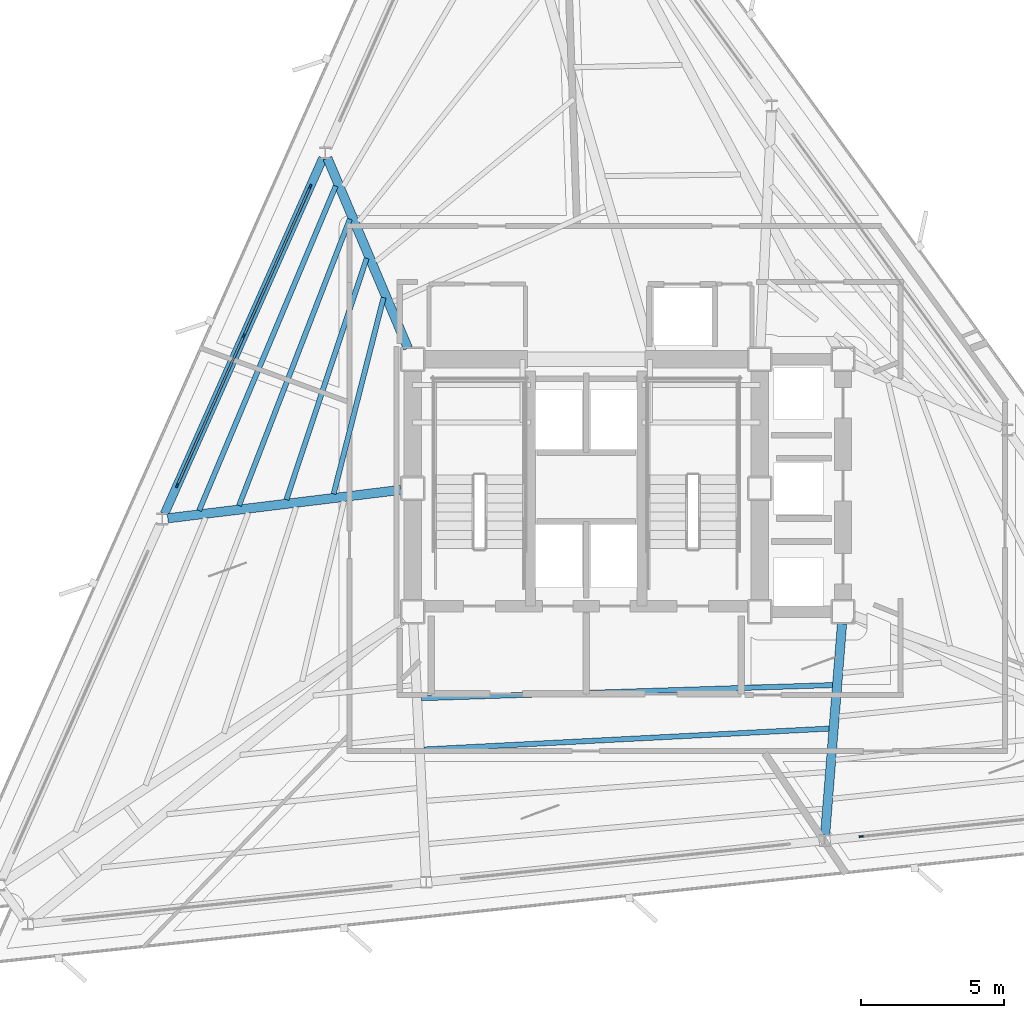
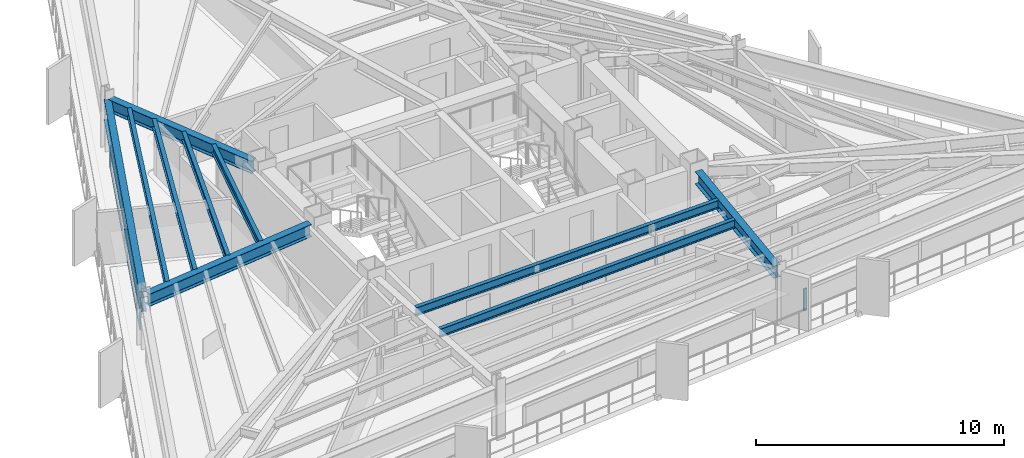
# One storey, part 3 of 13: 10 beams, 8 members, 2 elements without a shape of their own.
"""IFC4 building model written with IfcOpenShell, lengths in metres."""

from ifc_helpers import new_model, si_unit, direction, frame, origin, origin_2d, place, context, subcontext, project, spatial, rectangle, i_section, extrude, material, layer, layer_set, material_profile, profile_set, type_object, element, aggregate, save


model = new_model("IFC4")

# Units and contexts
model_context = context("Model", 3, precision=1e-05, world=origin(), true_north=direction((0.0, 1.0)))
body_context = subcontext(model_context, "Body", "Model", "MODEL_VIEW")
ifc_project = project(units=[si_unit("LENGTHUNIT", "METRE"), si_unit("AREAUNIT", "SQUARE_METRE"), si_unit("VOLUMEUNIT", "CUBIC_METRE"), si_unit("PLANEANGLEUNIT", "RADIAN"), si_unit("MASSUNIT", "GRAM", prefix="KILO")], contexts=[model_context])

# Site, building, storey
site_placement = place(None, origin())
site = spatial("IfcSite", under=ifc_project, at=site_placement, CompositionType="ELEMENT")
building_placement = place(site_placement, origin())
building = spatial("IfcBuilding", under=site, at=building_placement, Name="Rocaltana Carrier Exchange", CompositionType="ELEMENT")
storey_placement = place(building_placement, frame((0.0, 0.0, 122.8798828125)))
storey = spatial("IfcBuildingStorey", under=building, at=storey_placement, Name="L38", CompositionType="ELEMENT", Elevation=122.8798828125)

# Curtain wall, members
ifc_material_1 = material(Name="Aluminium 6063-T6", Category="aluminium")
ifc_layer = layer(ifc_material_1, 0.14990234375)
ifc_layer_set = layer_set([ifc_layer], Name="Aluminium 6063-T6")
curtain_wall_type = type_object("IfcCurtainWallType", Name="Mid-Tower Unitised Curtain Wall CW-03", PredefinedType="NOTDEFINED", material=ifc_layer_set)
curtain_wall_1_placement = place(storey_placement, origin())
curtain_wall_1 = element("IfcCurtainWall", 1, at=curtain_wall_1_placement, inside=storey, type_object=curtain_wall_type, Name="L38 CW-03 Run CW-L38-F2S2", PredefinedType="NOTDEFINED")
ifc_material_2 = material(Name="Aluminium 6063-T6", Category="aluminium")
ifc_material_profile_1 = material_profile(ifc_material_2, rectangle(XDim=0.06005859375, YDim=0.14990234375, at=origin_2d()), Name="AL-60X150")
ifc_profile_set_1 = profile_set([ifc_material_profile_1], Name="Aluminium 6063-T6")
member_type_1 = type_object("IfcMemberType", Name="CW-03 Mullion AL-60X150", PredefinedType="MULLION", material=ifc_profile_set_1)
member_1_placement = place(storey_placement, frame((-9.61865234375, 10.525634765625, 0.0), z_axis=(0.0, 0.0, 1.0), x_axis=(0.913542348315, -0.406743626669, 0.0)))
member_1 = element("IfcMember", 2, at=member_1_placement, type_object=member_type_1, Name="CW-03 mullion 1", PredefinedType="MULLION", context=body_context, shape_type="SweptSolid", body=[
    extrude(rectangle(XDim=0.06005859375, YDim=0.14990234375, at=origin_2d()), origin(), (0.0, 0.0, 1.0), 1.078125),
])
member_2_placement = place(storey_placement, frame((-11.9384765625, 5.3154296875, 0.0), z_axis=(0.0, 0.0, 1.0), x_axis=(0.913542348315, -0.406743626669, 0.0)))
member_2 = element("IfcMember", 3, at=member_2_placement, type_object=member_type_1, Name="CW-03 mullion 2", PredefinedType="MULLION", context=body_context, shape_type="SweptSolid", body=[
    extrude(rectangle(XDim=0.06005859375, YDim=0.14990234375, at=origin_2d()), origin(), (0.0, 0.0, 1.0), 1.078125),
])
member_3_placement = place(storey_placement, frame((-14.25830078125, 0.105224609375, 0.0), z_axis=(0.0, 0.0, 1.0), x_axis=(0.913542348315, -0.406743626669, 0.0)))
member_3 = element("IfcMember", 4, at=member_3_placement, type_object=member_type_1, Name="CW-03 mullion 3", PredefinedType="MULLION", context=body_context, shape_type="SweptSolid", body=[
    extrude(rectangle(XDim=0.06005859375, YDim=0.14990234375, at=origin_2d()), origin(), (0.0, 0.0, 1.0), 1.078125),
])

# Curtain wall, member
curtain_wall_2_placement = place(storey_placement, origin())
curtain_wall_2 = element("IfcCurtainWall", 5, at=curtain_wall_2_placement, inside=storey, type_object=curtain_wall_type, Name="L38 CW-03 Run CW-L38-F3S3", PredefinedType="NOTDEFINED")
member_4_placement = place(storey_placement, frame((9.584228515625, -12.1328125, 0.0), z_axis=(0.0, 0.0, 1.0), x_axis=(-0.104521806959, 0.994522594952, 0.0)))
member_4 = element("IfcMember", 6, at=member_4_placement, type_object=member_type_1, Name="CW-03 mullion 1", PredefinedType="MULLION", context=body_context, shape_type="SweptSolid", body=[
    extrude(rectangle(XDim=0.06005859375, YDim=0.14990234375, at=origin_2d()), origin(), (0.0, 0.0, 1.0), 1.078125),
])
aggregate(curtain_wall_2, [member_4])

# Member
ifc_material_3 = material(Name="Aluminium 6063-T6", Category="aluminium")
ifc_material_profile_2 = material_profile(ifc_material_3, rectangle(XDim=0.06005859375, YDim=0.14990234375, at=origin_2d()), Name="AL-60X150")
ifc_profile_set_2 = profile_set([ifc_material_profile_2], Name="Aluminium 6063-T6")
member_type_2 = type_object("IfcMemberType", Name="CW-03 Transom AL-60X150", PredefinedType="USERDEFINED", material=ifc_profile_set_2)
member_5_placement = place(storey_placement, frame((-9.630859375, 10.498291015625, 0.030029296875), z_axis=(-0.406740464784, -0.913543756099, 0.0), x_axis=(0.913543756099, -0.406740464784, 0.0)))
member_5 = element("IfcMember", 7, at=member_5_placement, type_object=member_type_2, Name="CW-03 transom 1.1", ObjectType="TRANSOM", PredefinedType="USERDEFINED", context=body_context, shape_type="SweptSolid", body=[
    extrude(rectangle(XDim=0.06005859375, YDim=0.14990234375, at=origin_2d()), origin(), (0.0, 0.0, 1.0), 5.643310546875),
])

member_6_placement = place(storey_placement, frame((-9.630859375, 10.498291015625, 1.048095703125), z_axis=(-0.406740464784, -0.913543756099, 0.0), x_axis=(0.913543756099, -0.406740464784, 0.0)))
member_6 = element("IfcMember", 8, at=member_6_placement, type_object=member_type_2, Name="CW-03 transom 1.2", ObjectType="TRANSOM", PredefinedType="USERDEFINED", context=body_context, shape_type="SweptSolid", body=[
    extrude(rectangle(XDim=0.06005859375, YDim=0.14990234375, at=origin_2d()), origin(), (0.0, 0.0, 1.0), 5.643310546875),
])

member_7_placement = place(storey_placement, frame((-11.95068359375, 5.287841796875, 0.030029296875), z_axis=(-0.406756540093, -0.91353659866, 0.0), x_axis=(0.91353659866, -0.406756540093, 0.0)))
member_7 = element("IfcMember", 9, at=member_7_placement, type_object=member_type_2, Name="CW-03 transom 2.1", ObjectType="TRANSOM", PredefinedType="USERDEFINED", context=body_context, shape_type="SweptSolid", body=[
    extrude(rectangle(XDim=0.06005859375, YDim=0.14990234375, at=origin_2d()), origin(), (0.0, 0.0, 1.0), 5.643310546875),
])

member_8_placement = place(storey_placement, frame((-11.95068359375, 5.287841796875, 1.048095703125), z_axis=(-0.406756540093, -0.91353659866, 0.0), x_axis=(0.91353659866, -0.406756540093, 0.0)))
member_8 = element("IfcMember", 10, at=member_8_placement, type_object=member_type_2, Name="CW-03 transom 2.2", ObjectType="TRANSOM", PredefinedType="USERDEFINED", context=body_context, shape_type="SweptSolid", body=[
    extrude(rectangle(XDim=0.06005859375, YDim=0.14990234375, at=origin_2d()), origin(), (0.0, 0.0, 1.0), 5.643310546875),
])

aggregate(curtain_wall_1, [member_1, member_2, member_3, member_5, member_6, member_7, member_8])

# Beams
ifc_material_4 = material(Name="Steel S355", Category="steel")
ifc_material_profile_3 = material_profile(ifc_material_4, i_section(OverallWidth=0.179931640625, OverallDepth=0.4130859375, WebThickness=0.009765625, FlangeThickness=0.01611328125, FilletRadius=0.012939453125, at=origin_2d()), Name="W16X50")
ifc_profile_set_3 = profile_set([ifc_material_profile_3], Name="Steel S355")
beam_type_1 = type_object("IfcBeamType", Name="Floor Joist W16X50", PredefinedType="JOIST", material=ifc_profile_set_3)
beam_1_placement = place(storey_placement, frame((-7.06396484375, 6.651123046875, 2.41162109375), z_axis=(-0.246610770256, -0.96911461035, 0.0), x_axis=(0.96911461035, -0.246610770256, 0.0)))
element("IfcBeam", 11, at=beam_1_placement, inside=storey, type_object=beam_type_1, Name="FJ-L38-06-1", PredefinedType="JOIST", context=body_context, shape_type="SweptSolid", body=[
    extrude(i_section(OverallWidth=0.179931640625, OverallDepth=0.4130859375, WebThickness=0.009765625, FlangeThickness=0.01611328125, FilletRadius=0.012939453125, at=origin_2d()), origin(), (0.0, 0.0, 1.0), 7.05859375),
])
beam_2_placement = place(storey_placement, frame((-7.65380859375, 8.021484375, 2.41162109375), z_axis=(-0.315534018632, -0.948914265403, 0.0), x_axis=(0.948914265403, -0.315534018632, 0.0)))
element("IfcBeam", 12, at=beam_2_placement, inside=storey, type_object=beam_type_1, Name="FJ-L38-06-2", PredefinedType="JOIST", context=body_context, shape_type="SweptSolid", body=[
    extrude(i_section(OverallWidth=0.179931640625, OverallDepth=0.4130859375, WebThickness=0.009765625, FlangeThickness=0.01611328125, FilletRadius=0.012939453125, at=origin_2d()), origin(), (0.0, 0.0, 1.0), 8.869384765625),
])
beam_3_placement = place(storey_placement, frame((-8.239990234375, 9.390869140625, 2.41162109375), z_axis=(-0.360736399808, -0.93266781324, 0.0), x_axis=(0.93266781324, -0.360736399808, 0.0)))
element("IfcBeam", 13, at=beam_3_placement, inside=storey, type_object=beam_type_1, Name="FJ-L38-06-3", PredefinedType="JOIST", context=body_context, shape_type="SweptSolid", body=[
    extrude(i_section(OverallWidth=0.179931640625, OverallDepth=0.4130859375, WebThickness=0.009765625, FlangeThickness=0.01611328125, FilletRadius=0.012939453125, at=origin_2d()), origin(), (0.0, 0.0, 1.0), 10.71142578125),
])
beam_4_placement = place(storey_placement, frame((-8.73193359375, 10.543701171875, 2.41162109375), z_axis=(-0.388065001022, -0.92163200627, 0.0), x_axis=(0.92163200627, -0.388065001022, 0.0)))
element("IfcBeam", 14, at=beam_4_placement, inside=storey, type_object=beam_type_1, Name="FJ-L38-06-4", PredefinedType="JOIST", context=body_context, shape_type="SweptSolid", body=[
    extrude(i_section(OverallWidth=0.179931640625, OverallDepth=0.4130859375, WebThickness=0.009765625, FlangeThickness=0.01611328125, FilletRadius=0.012939453125, at=origin_2d()), origin(), (0.0, 0.0, 1.0), 12.27734375),
])
beam_5_placement = place(storey_placement, frame((-5.743408203125, -7.3115234375, 2.41162109375), z_axis=(0.999491466451, 0.031887434705, 0.0), x_axis=(-0.031887434705, 0.999491466451, 0.0)))
element("IfcBeam", 15, at=beam_5_placement, inside=storey, type_object=beam_type_1, Name="FJ-L38-10-1", PredefinedType="JOIST", context=body_context, shape_type="SweptSolid", body=[
    extrude(i_section(OverallWidth=0.179931640625, OverallDepth=0.4130859375, WebThickness=0.009765625, FlangeThickness=0.01611328125, FilletRadius=0.012939453125, at=origin_2d()), origin(), (0.0, 0.0, 1.0), 14.34033203125),
])
beam_6_placement = place(storey_placement, frame((-5.654052734375, -9.099609375, 2.41162109375), z_axis=(0.998672130868, 0.051516745125, 0.0), x_axis=(-0.051516745125, 0.998672130868, 0.0)))
element("IfcBeam", 16, at=beam_6_placement, inside=storey, type_object=beam_type_1, Name="FJ-L38-10-2", PredefinedType="JOIST", context=body_context, shape_type="SweptSolid", body=[
    extrude(i_section(OverallWidth=0.179931640625, OverallDepth=0.4130859375, WebThickness=0.009765625, FlangeThickness=0.01611328125, FilletRadius=0.012939453125, at=origin_2d()), origin(), (0.0, 0.0, 1.0), 14.141357421875),
])
ifc_material_5 = material(Name="Steel S355", Category="steel")
ifc_material_profile_4 = material_profile(ifc_material_5, i_section(OverallWidth=0.323974609375, OverallDepth=0.611083984375, WebThickness=0.0126953125, FlangeThickness=0.01904296875, FilletRadius=0.01611328125, at=origin_2d()), Name="W24X104")
ifc_profile_set_4 = profile_set([ifc_material_profile_4], Name="Steel S355")
beam_type_2 = type_object("IfcBeamType", Name="Radial Girder W24X104", PredefinedType="BEAM", material=ifc_profile_set_4)
beam_7_placement = place(storey_placement, frame((-6.212646484375, 4.884033203125, 2.3125), z_axis=(-0.390082299066, 0.920779995414, 0.0), x_axis=(-0.920779995414, -0.390082299066, 0.0)))
element("IfcBeam", 17, at=beam_7_placement, inside=storey, type_object=beam_type_2, Name="RG-L38-06", PredefinedType="BEAM", context=body_context, shape_type="SweptSolid", body=[
    extrude(i_section(OverallWidth=0.323974609375, OverallDepth=0.611083984375, WebThickness=0.0126953125, FlangeThickness=0.01904296875, FilletRadius=0.01611328125, at=origin_2d()), origin(), (0.0, 0.0, 1.0), 7.201904296875),
])
beam_8_placement = place(storey_placement, frame((-6.4638671875, -0.050537109375, 2.3125), z_axis=(-0.992651998354, -0.121004174157, 0.0), x_axis=(0.121004174157, -0.992651998354, 0.0)))
element("IfcBeam", 18, at=beam_8_placement, inside=storey, type_object=beam_type_2, Name="RG-L38-07", PredefinedType="BEAM", context=body_context, shape_type="SweptSolid", body=[
    extrude(i_section(OverallWidth=0.323974609375, OverallDepth=0.611083984375, WebThickness=0.0126953125, FlangeThickness=0.01904296875, FilletRadius=0.01611328125, at=origin_2d()), origin(), (0.0, 0.0, 1.0), 8.181396484375),
])
beam_9_placement = place(storey_placement, frame((8.916748046875, -4.7158203125, 2.3125), z_axis=(-0.079956907675, -0.996798321084, 0.0), x_axis=(0.996798321084, -0.079956907675, 0.0)))
element("IfcBeam", 19, at=beam_9_placement, inside=storey, type_object=beam_type_2, Name="RG-L38-11", PredefinedType="BEAM", context=body_context, shape_type="SweptSolid", body=[
    extrude(i_section(OverallWidth=0.323974609375, OverallDepth=0.611083984375, WebThickness=0.0126953125, FlangeThickness=0.01904296875, FilletRadius=0.01611328125, at=origin_2d()), origin(), (0.0, 0.0, 1.0), 7.380126953125),
])
ifc_material_6 = material(Name="Steel S460", Category="steel")
ifc_material_profile_5 = material_profile(ifc_material_6, i_section(OverallWidth=0.302001953125, OverallDepth=1.008056640625, WebThickness=0.02099609375, FlangeThickness=0.0400390625, FilletRadius=0.030029296875, at=origin_2d()), Name="HEM1000")
ifc_profile_set_5 = profile_set([ifc_material_profile_5], Name="Steel S460")
beam_type_3 = type_object("IfcBeamType", Name="Transfer Ring Girder HEM1000", PredefinedType="USERDEFINED", material=ifc_profile_set_5)
beam_10_placement = place(storey_placement, frame((-9.177490234375, 11.516845703125, 2.114013671875), z_axis=(-0.406744031685, -0.913542167986, 0.0), x_axis=(0.913542167986, -0.406744031685, 0.0)))
element("IfcBeam", 20, at=beam_10_placement, inside=storey, type_object=beam_type_3, Name="SP-L38-06", ObjectType="TRANSFER GIRDER", PredefinedType="USERDEFINED", context=body_context, shape_type="SweptSolid", body=[
    extrude(i_section(OverallWidth=0.302001953125, OverallDepth=1.008056640625, WebThickness=0.02099609375, FlangeThickness=0.0400390625, FilletRadius=0.030029296875, at=origin_2d()), origin(), (0.0, 0.0, 1.0), 13.57666015625),
])

save(model, "model.ifc")
